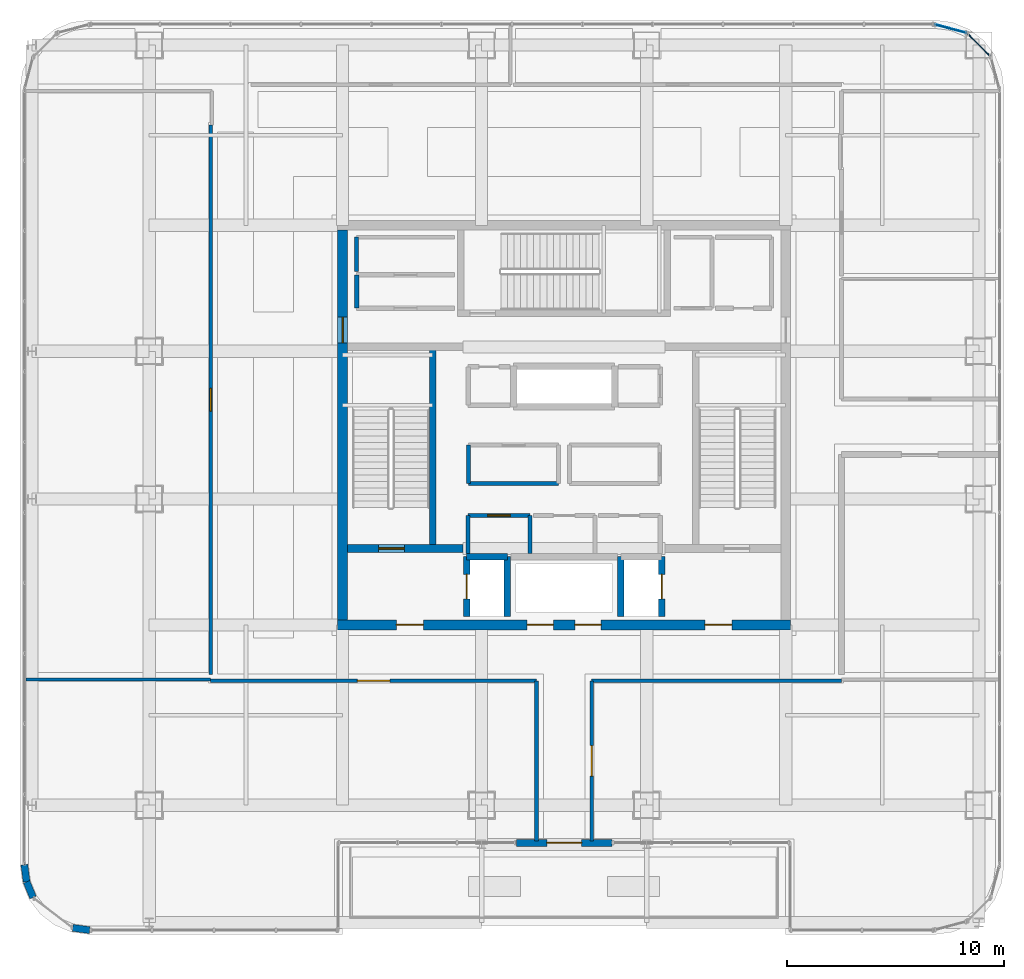
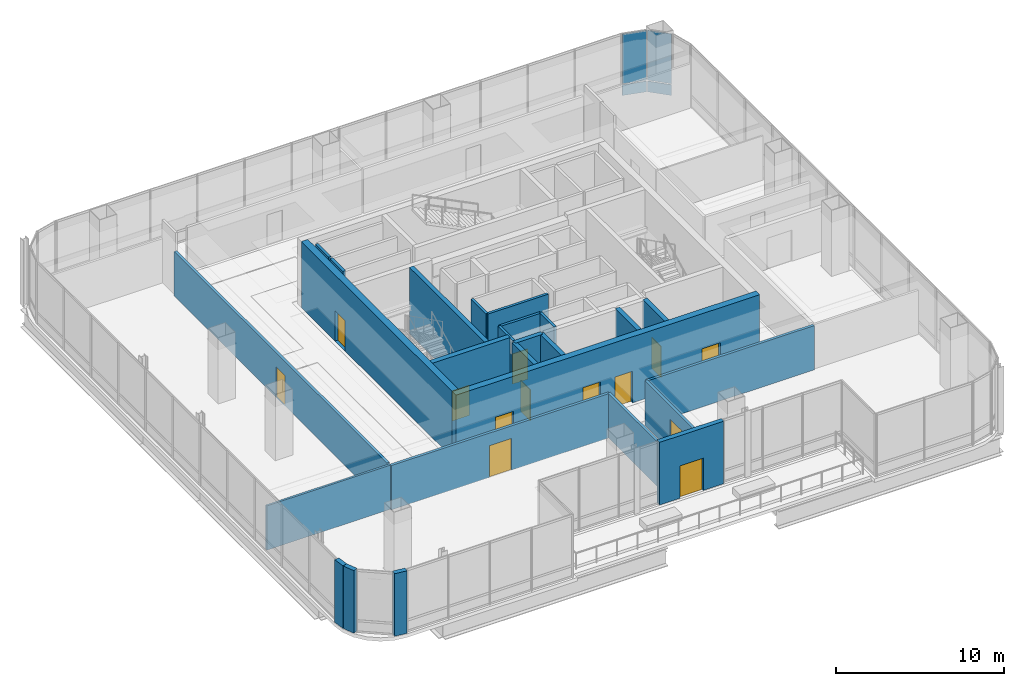
# One storey, part 36 of 44: 26 walls, 13 doors, 4 plates, 13 openings, 2 elements without a shape of their own.
"""IFC4 building model written with IfcOpenShell, lengths in metres."""

from ifc_helpers import new_model, si_unit, direction, frame, frame_2d, origin, origin_2d, place, context, subcontext, project, spatial, rectangle, extrude, material, layer, layer_set, type_object, element, fill, aggregate, save


model = new_model("IFC4")

# Units and contexts
model_context = context("Model", 3, precision=1e-05, world=origin(), true_north=direction((0.0, 1.0)))
body_context = subcontext(model_context, "Body", "Model", "MODEL_VIEW")
ifc_project = project(units=[si_unit("LENGTHUNIT", "METRE"), si_unit("AREAUNIT", "SQUARE_METRE"), si_unit("VOLUMEUNIT", "CUBIC_METRE"), si_unit("PLANEANGLEUNIT", "RADIAN"), si_unit("MASSUNIT", "GRAM", prefix="KILO")], contexts=[model_context])

# Site, building, storey
site_placement = place(None, origin())
site = spatial("IfcSite", under=ifc_project, at=site_placement, CompositionType="ELEMENT")
building_placement = place(site_placement, origin())
building = spatial("IfcBuilding", under=site, at=building_placement, Name="Punatoya Terracotta Tower", CompositionType="ELEMENT")
storey_placement = place(building_placement, frame((0.0, 0.0, 334.199951171875)))
storey = spatial("IfcBuildingStorey", under=building, at=storey_placement, Name="L79", CompositionType="ELEMENT", Elevation=334.199951171875)

# Curtain wall, plate
ifc_material_1 = material(Name="Aluminium 6063-T6 + Double Low-E Glass", Category="aluminium")
curtain_wall_type = type_object("IfcCurtainWallType", Name="CW-OBS", PredefinedType="NOTDEFINED", material=ifc_material_1)
curtain_wall_1_placement = place(storey_placement, origin())
curtain_wall_1 = element("IfcCurtainWall", 1, at=curtain_wall_1_placement, inside=storey, type_object=curtain_wall_type, Name="L79 Curtain Wall CW-L79-CRN12", PredefinedType="NOTDEFINED")
ifc_material_2 = material(Name="Laminated Observation Low-Iron Glass", Category="glass")
ifc_layer_1 = layer(ifc_material_2, 0.0380859375)
ifc_layer_set_1 = layer_set([ifc_layer_1], Name="Laminated Observation Low-Iron Glass")
plate_type_1 = type_object("IfcPlateType", Name="PLT-GLZ-38", PredefinedType="CURTAIN_PANEL", material=ifc_layer_set_1)
plate_1_placement = place(storey_placement, frame((19.097900390625, 17.497802734375, 0.89013671875), z_axis=(0.0, 0.0, 1.0), x_axis=(-0.707106781187, 0.707106781187, 0.0)))
plate_1 = element("IfcPlate", 2, at=plate_1_placement, type_object=plate_type_1, Name="CW-L79-CRN12 Vision Glass Panel 1", PredefinedType="CURTAIN_PANEL", context=body_context, shape_type="SweptSolid", body=[
    extrude(rectangle(XDim=1.467041015625, YDim=0.0380859375, at=origin_2d()), origin(), (0.0, 0.0, 1.0), 3.610107421875),
])

curtain_wall_2_placement = place(storey_placement, origin())
curtain_wall_2 = element("IfcCurtainWall", 3, at=curtain_wall_2_placement, inside=storey, type_object=curtain_wall_type, Name="L79 Curtain Wall CW-L79-CRN13", PredefinedType="NOTDEFINED")
plate_2_placement = place(storey_placement, frame((17.79296875, 18.248291015625, 0.89013671875), z_axis=(0.0, 0.0, 1.0), x_axis=(-0.966213877436, 0.257741620719, 0.0)))
plate_2 = element("IfcPlate", 4, at=plate_2_placement, type_object=plate_type_1, Name="CW-L79-CRN13 Vision Glass Panel 1", PredefinedType="CURTAIN_PANEL", context=body_context, shape_type="SweptSolid", body=[
    extrude(rectangle(XDim=1.47998046875, YDim=0.0380859375, at=origin_2d()), origin(), (0.0, 0.0, 1.0), 3.610107421875),
])

# Plate
ifc_material_3 = material(Name="Insulated Terracotta-Backed Spandrel Panel", Category="masonry")
ifc_layer_2 = layer(ifc_material_3, 0.044921875)
ifc_layer_set_2 = layer_set([ifc_layer_2], Name="Insulated Terracotta-Backed Spandrel Panel")
plate_type_2 = type_object("IfcPlateType", Name="PLT-SPN-45", PredefinedType="CURTAIN_PANEL", material=ifc_layer_set_2)
plate_3_placement = place(storey_placement, frame((19.097900390625, 17.497802734375, 0.0400390625), z_axis=(0.0, 0.0, 1.0), x_axis=(-0.707106781187, 0.707106781187, 0.0)))
plate_3 = element("IfcPlate", 5, at=plate_3_placement, type_object=plate_type_2, Name="CW-L79-CRN12 Terracotta Spandrel Panel 1", PredefinedType="CURTAIN_PANEL", context=body_context, shape_type="SweptSolid", body=[
    extrude(rectangle(XDim=1.467041015625, YDim=0.044921875, at=origin_2d()), origin(), (0.0, 0.0, 1.0), 0.77490234375),
])

aggregate(curtain_wall_1, [plate_3, plate_1])

plate_4_placement = place(storey_placement, frame((17.79296875, 18.248291015625, 0.0400390625), z_axis=(0.0, 0.0, 1.0), x_axis=(-0.966213877436, 0.257741620719, 0.0)))
plate_4 = element("IfcPlate", 6, at=plate_4_placement, type_object=plate_type_2, Name="CW-L79-CRN13 Terracotta Spandrel Panel 1", PredefinedType="CURTAIN_PANEL", context=body_context, shape_type="SweptSolid", body=[
    extrude(rectangle(XDim=1.47998046875, YDim=0.044921875, at=origin_2d()), origin(), (0.0, 0.0, 1.0), 0.77490234375),
])

aggregate(curtain_wall_2, [plate_4, plate_2])

# Wall, openings, doors
ifc_material_4 = material(Name="Concrete C50/60", Category="concrete")
ifc_layer_3 = layer(ifc_material_4, 0.449951171875)
ifc_layer_set_3 = layer_set([ifc_layer_3], Name="Concrete C50/60")
wall_type_1 = type_object("IfcWallType", Name="WL-COR-450", PredefinedType="SHEAR", material=ifc_layer_set_3)
wall_1_placement = place(storey_placement, frame((10.425048828125, -9.199951171875, 0.0), z_axis=(0.0, 0.0, 1.0), x_axis=(-1.0, 0.0, 0.0)))
wall_1 = element("IfcWall", 7, at=wall_1_placement, inside=storey, type_object=wall_type_1, Name="L79 Core Shear Wall S", PredefinedType="SHEAR", context=body_context, shape_type="SweptSolid", body=[
    extrude(rectangle(XDim=20.85009765625, YDim=0.449951171875, at=frame_2d((10.425048828125, 0.0))), origin(), (0.0, 0.0, 1.0), 4.800048828125),
])
opening_1_placement = place(wall_1_placement, frame((2.699951171875, 0.0, 0.0)))
opening_1 = element("IfcOpeningElement", 8, at=opening_1_placement, cuts=wall_1, Name="Opening FD-L1", PredefinedType="OPENING", context=body_context, shape_type="SweptSolid", body=[
    extrude(rectangle(XDim=1.25, YDim=2.25, at=frame_2d((0.625, 1.125))), frame((0.0, 0.23486328125, 0.0), z_axis=(0.0, -1.0, 0.0), x_axis=(1.0, 0.0, 0.0)), (0.0, 0.0, 1.0), 0.469970703125),
])
opening_2_placement = place(wall_1_placement, frame((16.89990234375, 0.0, 0.0)))
opening_2 = element("IfcOpeningElement", 9, at=opening_2_placement, cuts=wall_1, Name="Opening FD-L1", PredefinedType="OPENING", context=body_context, shape_type="SweptSolid", body=[
    extrude(rectangle(XDim=1.25, YDim=2.25, at=frame_2d((0.625, 1.125))), frame((0.0, 0.23486328125, 0.0), z_axis=(0.0, -1.0, 0.0), x_axis=(1.0, 0.0, 0.0)), (0.0, 0.0, 1.0), 0.469970703125),
])
opening_3_placement = place(wall_1_placement, frame((10.925048828125, 0.0, 0.0)))
opening_3 = element("IfcOpeningElement", 10, at=opening_3_placement, cuts=wall_1, Name="Opening LD-01", PredefinedType="OPENING", context=body_context, shape_type="SweptSolid", body=[
    extrude(rectangle(XDim=1.199951171875, YDim=2.300048828125, at=frame_2d((0.60009765625, 1.14990234375))), frame((0.0, 0.23486328125, 0.0), z_axis=(0.0, -1.0, 0.0), x_axis=(1.0, 0.0, 0.0)), (0.0, 0.0, 1.0), 0.469970703125),
])
opening_4_placement = place(wall_1_placement, frame((8.72509765625, 0.0, 0.0)))
opening_4 = element("IfcOpeningElement", 11, at=opening_4_placement, cuts=wall_1, Name="Opening LD-01", PredefinedType="OPENING", context=body_context, shape_type="SweptSolid", body=[
    extrude(rectangle(XDim=1.199951171875, YDim=2.300048828125, at=frame_2d((0.60009765625, 1.14990234375))), frame((0.0, 0.23486328125, 0.0), z_axis=(0.0, -1.0, 0.0), x_axis=(1.0, 0.0, 0.0)), (0.0, 0.0, 1.0), 0.469970703125),
])
ifc_material_5 = material(Name="Galvanised Steel Smokeproof Fire Door", Category="steel")
door_type_1 = type_object("IfcDoorType", Name="DR-FFL-1250", OperationType="NOTDEFINED", PredefinedType="DOOR", material=ifc_material_5)
door_1_placement = place(opening_1_placement, origin())
door_1 = element("IfcDoor", 12, at=door_1_placement, inside=storey, type_object=door_type_1, Name="L79 East Firefighting Lobby Corridor Fire Door", OperationType="SINGLE_SWING_LEFT", OverallHeight=2.25, OverallWidth=1.25, PredefinedType="DOOR", context=body_context, shape_type="SweptSolid", body=[
    extrude(rectangle(XDim=1.25, YDim=2.25, at=frame_2d((0.625, 1.125))), frame((0.0, 0.02490234375, 0.0), z_axis=(0.0, -1.0, 0.0), x_axis=(1.0, 0.0, 0.0)), (0.0, 0.0, 1.0), 0.050048828125),
])
fill(opening_1, door_1)
door_2_placement = place(opening_2_placement, origin())
door_2 = element("IfcDoor", 13, at=door_2_placement, inside=storey, type_object=door_type_1, Name="L79 West Firefighting Lobby Corridor Fire Door", OperationType="SINGLE_SWING_RIGHT", OverallHeight=2.25, OverallWidth=1.25, PredefinedType="DOOR", context=body_context, shape_type="SweptSolid", body=[
    extrude(rectangle(XDim=1.25, YDim=2.25, at=frame_2d((0.625, 1.125))), frame((0.0, 0.02490234375, 0.0), z_axis=(0.0, -1.0, 0.0), x_axis=(1.0, 0.0, 0.0)), (0.0, 0.0, 1.0), 0.050048828125),
])
fill(opening_2, door_2)
ifc_material_6 = material(Name="Stainless Steel Lift Landing Door", Category="steel")
door_type_2 = type_object("IfcDoorType", Name="DR-LND-1200", OperationType="NOTDEFINED", PredefinedType="DOOR", material=ifc_material_6)
door_3_placement = place(opening_3_placement, origin())
door_3 = element("IfcDoor", 14, at=door_3_placement, inside=storey, type_object=door_type_2, Name="L79 Observation Express OB-1 Sliding Landing Door", OperationType="DOUBLE_DOOR_SLIDING", OverallHeight=2.300048828125, OverallWidth=1.199951171875, PredefinedType="DOOR", context=body_context, shape_type="SweptSolid", body=[
    extrude(rectangle(XDim=1.199951171875, YDim=2.300048828125, at=frame_2d((0.60009765625, 1.14990234375))), frame((0.0, 0.02490234375, 0.0), z_axis=(0.0, -1.0, 0.0), x_axis=(1.0, 0.0, 0.0)), (0.0, 0.0, 1.0), 0.050048828125),
])
fill(opening_3, door_3)
door_4_placement = place(opening_4_placement, origin())
door_4 = element("IfcDoor", 15, at=door_4_placement, inside=storey, type_object=door_type_2, Name="L79 Observation Express OB-2 Sliding Landing Door", OperationType="DOUBLE_DOOR_SLIDING", OverallHeight=2.300048828125, OverallWidth=1.199951171875, PredefinedType="DOOR", context=body_context, shape_type="SweptSolid", body=[
    extrude(rectangle(XDim=1.199951171875, YDim=2.300048828125, at=frame_2d((0.60009765625, 1.14990234375))), frame((0.0, 0.02490234375, 0.0), z_axis=(0.0, -1.0, 0.0), x_axis=(1.0, 0.0, 0.0)), (0.0, 0.0, 1.0), 0.050048828125),
])
fill(opening_4, door_4)

# Wall, opening, door
wall_2_placement = place(storey_placement, frame((-10.199951171875, -8.97509765625, 0.0), z_axis=(0.0, 0.0, 1.0), x_axis=(0.0, 1.0, 0.0)))
wall_2 = element("IfcWall", 16, at=wall_2_placement, inside=storey, type_object=wall_type_1, Name="L79 Core Shear Wall W", PredefinedType="SHEAR", context=body_context, shape_type="SweptSolid", body=[
    extrude(rectangle(XDim=17.9501953125, YDim=0.449951171875, at=frame_2d((8.97509765625, 0.0))), origin(), (0.0, 0.0, 1.0), 4.800048828125),
])
opening_5_placement = place(wall_2_placement, frame((12.764892578125, 0.0, 0.0)))
opening_5 = element("IfcOpeningElement", 17, at=opening_5_placement, cuts=wall_2, Name="Opening SD-01", PredefinedType="OPENING", context=body_context, shape_type="SweptSolid", body=[
    extrude(rectangle(XDim=1.179931640625, YDim=2.199951171875, at=frame_2d((0.58984375, 1.10009765625))), frame((0.0, 0.23486328125, 0.0), z_axis=(0.0, -1.0, 0.0), x_axis=(1.0, 0.0, 0.0)), (0.0, 0.0, 1.0), 0.469970703125),
])
ifc_material_7 = material(Name="Galvanised Steel Pressurized Stair Fire Door", Category="steel")
door_type_3 = type_object("IfcDoorType", Name="DR-STR-1180", OperationType="NOTDEFINED", PredefinedType="DOOR", material=ifc_material_7)
door_5_placement = place(opening_5_placement, origin())
door_5 = element("IfcDoor", 18, at=door_5_placement, inside=storey, type_object=door_type_3, Name="L79 Central Lift Lobby West Fire Door", OperationType="SINGLE_SWING_LEFT", OverallHeight=2.199951171875, OverallWidth=1.179931640625, PredefinedType="DOOR", context=body_context, shape_type="SweptSolid", body=[
    extrude(rectangle(XDim=1.179931640625, YDim=2.199951171875, at=frame_2d((0.58984375, 1.10009765625))), frame((0.0, 0.02490234375, 0.0), z_axis=(0.0, -1.0, 0.0), x_axis=(1.0, 0.0, 0.0)), (0.0, 0.0, 1.0), 0.050048828125),
])
fill(opening_5, door_5)

# Wall
ifc_material_8 = material(Name="Gypsum Fireboard + Steel Stud", Category="steel")
ifc_layer_4 = layer(ifc_material_8, 0.179931640625)
ifc_layer_set_4 = layer_set([ifc_layer_4], Name="Gypsum Fireboard + Steel Stud")
wall_type_2 = type_object("IfcWallType", Name="WL-CORR-180", PredefinedType="PARTITIONING", material=ifc_layer_set_4)
wall_3_placement = place(storey_placement, frame((-1.580078125, -5.89990234375, 0.0), z_axis=(0.0, 0.0, 1.0), x_axis=(0.0, 1.0, 0.0)))
element("IfcWall", 19, at=wall_3_placement, inside=storey, type_object=wall_type_2, Name="L79 Core Quiet Wellness Room Partition 01", PredefinedType="PARTITIONING", context=body_context, shape_type="SweptSolid", body=[
    extrude(rectangle(XDim=1.739990234375, YDim=0.179931640625, at=frame_2d((0.8701171875, 0.0))), origin(), (0.0, 0.0, 1.0), 4.5400390625),
])

# Wall, opening, door
wall_4_placement = place(storey_placement, frame((-1.580078125, -4.159912109375, 0.0), z_axis=(0.0, 0.0, 1.0), x_axis=(-1.0, 0.0, 0.0)))
wall_4 = element("IfcWall", 20, at=wall_4_placement, inside=storey, type_object=wall_type_2, Name="L79 Core Quiet Wellness Room Partition 02", PredefinedType="PARTITIONING", context=body_context, shape_type="SweptSolid", body=[
    extrude(rectangle(XDim=2.83984375, YDim=0.179931640625, at=frame_2d((1.419921875, 0.0))), origin(), (0.0, 0.0, 1.0), 4.5400390625),
])
opening_6_placement = place(wall_4_placement, frame((0.89501953125, 0.0, 0.0)))
opening_6 = element("IfcOpeningElement", 21, at=opening_6_placement, cuts=wall_4, Name="Opening OD-01", PredefinedType="OPENING", context=body_context, shape_type="SweptSolid", body=[
    extrude(rectangle(XDim=1.050048828125, YDim=2.199951171875, at=frame_2d((0.52490234375, 1.10009765625))), frame((0.0, 0.099853515625, 0.0), z_axis=(0.0, -1.0, 0.0), x_axis=(1.0, 0.0, 0.0)), (0.0, 0.0, 1.0), 0.199951171875),
])
ifc_material_9 = material(Name="Bengal Teak Solid-Core Leaf")
door_type_4 = type_object("IfcDoorType", Name="DR-OFF-1050", OperationType="NOTDEFINED", PredefinedType="DOOR", material=ifc_material_9)
door_6_placement = place(opening_6_placement, origin())
door_6 = element("IfcDoor", 22, at=door_6_placement, inside=storey, type_object=door_type_4, Name="L79 Quiet Wellness Room Door", OperationType="SINGLE_SWING_LEFT", OverallHeight=2.199951171875, OverallWidth=1.050048828125, PredefinedType="DOOR", context=body_context, shape_type="SweptSolid", body=[
    extrude(rectangle(XDim=1.050048828125, YDim=2.199951171875, at=frame_2d((0.52490234375, 1.10009765625))), frame((0.0, 0.02490234375, 0.0), z_axis=(0.0, -1.0, 0.0), x_axis=(1.0, 0.0, 0.0)), (0.0, 0.0, 1.0), 0.050048828125),
])
fill(opening_6, door_6)

# Walls
wall_5_placement = place(storey_placement, frame((-4.419921875, -4.159912109375, 0.0), z_axis=(0.0, 0.0, 1.0), x_axis=(0.0, -1.0, 0.0)))
element("IfcWall", 23, at=wall_5_placement, inside=storey, type_object=wall_type_2, Name="L79 Core Quiet Wellness Room Partition 03", PredefinedType="PARTITIONING", context=body_context, shape_type="SweptSolid", body=[
    extrude(rectangle(XDim=1.739990234375, YDim=0.179931640625, at=frame_2d((0.8701171875, 0.0))), origin(), (0.0, 0.0, 1.0), 4.5400390625),
])
wall_6_placement = place(storey_placement, frame((-4.39990234375, -0.919921875, 0.0), z_axis=(0.0, 0.0, 1.0), x_axis=(0.0, -1.0, 0.0)))
element("IfcWall", 24, at=wall_6_placement, inside=storey, type_object=wall_type_2, Name="L79 West Core Focus Pod Partition 10", PredefinedType="PARTITIONING", context=body_context, shape_type="SweptSolid", body=[
    extrude(rectangle(XDim=1.760009765625, YDim=0.179931640625, at=frame_2d((0.8798828125, 0.0))), origin(), (0.0, 0.0, 1.0), 4.5400390625),
])
wall_7_placement = place(storey_placement, frame((-4.39990234375, -2.679931640625, 0.0), z_axis=(0.0, 0.0, 1.0), x_axis=(1.0, 0.0, 0.0)))
element("IfcWall", 25, at=wall_7_placement, inside=storey, type_object=wall_type_2, Name="L79 West Core Focus Pod Partition 11", PredefinedType="PARTITIONING", context=body_context, shape_type="SweptSolid", body=[
    extrude(rectangle(XDim=4.14990234375, YDim=0.179931640625, at=frame_2d((2.074951171875, 0.0))), origin(), (0.0, 0.0, 1.0), 4.5400390625),
])
wall_8_placement = place(storey_placement, frame((-9.550048828125, 8.64990234375, 0.0), z_axis=(0.0, 0.0, 1.0), x_axis=(0.0, -1.0, 0.0)))
element("IfcWall", 26, at=wall_8_placement, inside=storey, type_object=wall_type_2, Name="L79 West Core Copy Room Partition 26", PredefinedType="PARTITIONING", context=body_context, shape_type="SweptSolid", body=[
    extrude(rectangle(XDim=1.56982421875, YDim=0.179931640625, at=frame_2d((0.784912109375, 0.0))), origin(), (0.0, 0.0, 1.0), 4.5400390625),
])

# Wall, opening, door
wall_9_placement = place(storey_placement, frame((-16.27001953125, -11.77001953125, 0.0), z_axis=(0.0, 0.0, 1.0), x_axis=(1.0, 0.0, 0.0)))
wall_9 = element("IfcWall", 27, at=wall_9_placement, inside=storey, type_object=wall_type_2, Name="L79 Waterfront Observation Gallery Partition 33", PredefinedType="PARTITIONING", context=body_context, shape_type="SweptSolid", body=[
    extrude(rectangle(XDim=15.0, YDim=0.179931640625, at=frame_2d((7.5, 0.0))), origin(), (0.0, 0.0, 1.0), 3.214111328125),
])
opening_7_placement = place(wall_9_placement, frame((6.75, 0.0, 0.0)))
opening_7 = element("IfcOpeningElement", 28, at=opening_7_placement, cuts=wall_9, Name="Opening ED-01", PredefinedType="OPENING", context=body_context, shape_type="SweptSolid", body=[
    extrude(rectangle(XDim=1.5, YDim=2.300048828125, at=frame_2d((0.75, 1.14990234375))), frame((0.0, 0.099853515625, 0.0), z_axis=(0.0, -1.0, 0.0), x_axis=(1.0, 0.0, 0.0)), (0.0, 0.0, 1.0), 0.199951171875),
])
ifc_material_10 = material(Name="Bengal Teak Fire-Resisting Double Leaf")
door_type_5 = type_object("IfcDoorType", Name="DR-EXEC-1500", OperationType="NOTDEFINED", PredefinedType="DOOR", material=ifc_material_10)
door_7_placement = place(opening_7_placement, origin())
door_7 = element("IfcDoor", 29, at=door_7_placement, inside=storey, type_object=door_type_5, Name="L79 Waterfront Observation Gallery Fire Door", OperationType="DOUBLE_DOOR_SINGLE_SWING", OverallHeight=2.300048828125, OverallWidth=1.5, PredefinedType="DOOR", context=body_context, shape_type="SweptSolid", body=[
    extrude(rectangle(XDim=1.5, YDim=2.300048828125, at=frame_2d((0.75, 1.14990234375))), frame((0.0, 0.02490234375, 0.0), z_axis=(0.0, -1.0, 0.0), x_axis=(1.0, 0.0, 0.0)), (0.0, 0.0, 1.0), 0.050048828125),
])
fill(opening_7, door_7)

# Wall
wall_10_placement = place(storey_placement, frame((-1.27001953125, -11.77001953125, 0.0), z_axis=(0.0, 0.0, 1.0), x_axis=(0.0, -1.0, 0.0)))
element("IfcWall", 30, at=wall_10_placement, inside=storey, type_object=wall_type_2, Name="L79 Waterfront Observation Gallery Partition 34", PredefinedType="PARTITIONING", context=body_context, shape_type="SweptSolid", body=[
    extrude(rectangle(XDim=7.3798828125, YDim=0.179931640625, at=frame_2d((3.68994140625, 0.0))), origin(), (0.0, 0.0, 1.0), 3.214111328125),
])

# Wall, opening, door
wall_11_placement = place(storey_placement, frame((1.27001953125, -19.14990234375, 0.0), z_axis=(0.0, 0.0, 1.0), x_axis=(0.0, 1.0, 0.0)))
wall_11 = element("IfcWall", 31, at=wall_11_placement, inside=storey, type_object=wall_type_2, Name="L79 Heritage Collections Curatorial Study Partition 36", PredefinedType="PARTITIONING", context=body_context, shape_type="SweptSolid", body=[
    extrude(rectangle(XDim=7.3798828125, YDim=0.179931640625, at=frame_2d((3.68994140625, 0.0))), origin(), (0.0, 0.0, 1.0), 3.214111328125),
])
opening_8_placement = place(wall_11_placement, frame((2.989990234375, 0.0, 0.0)))
opening_8 = element("IfcOpeningElement", 32, at=opening_8_placement, cuts=wall_11, Name="Opening BD-01", PredefinedType="OPENING", context=body_context, shape_type="SweptSolid", body=[
    extrude(rectangle(XDim=1.39990234375, YDim=2.25, at=frame_2d((0.699951171875, 1.125))), frame((0.0, 0.099853515625, 0.0), z_axis=(0.0, -1.0, 0.0), x_axis=(1.0, 0.0, 0.0)), (0.0, 0.0, 1.0), 0.199951171875),
])
ifc_material_11 = material(Name="Bengal Teak Acoustic Leaf")
door_type_6 = type_object("IfcDoorType", Name="DR-BRD-1400", OperationType="NOTDEFINED", PredefinedType="DOOR", material=ifc_material_11)
door_8_placement = place(opening_8_placement, origin())
door_8 = element("IfcDoor", 33, at=door_8_placement, inside=storey, type_object=door_type_6, Name="L79 Heritage Collections Curatorial Study Door", OperationType="SINGLE_SWING_LEFT", OverallHeight=2.25, OverallWidth=1.39990234375, PredefinedType="DOOR", context=body_context, shape_type="SweptSolid", body=[
    extrude(rectangle(XDim=1.39990234375, YDim=2.25, at=frame_2d((0.699951171875, 1.125))), frame((0.0, 0.02490234375, 0.0), z_axis=(0.0, -1.0, 0.0), x_axis=(1.0, 0.0, 0.0)), (0.0, 0.0, 1.0), 0.050048828125),
])
fill(opening_8, door_8)

# Wall
wall_12_placement = place(storey_placement, frame((1.27001953125, -11.77001953125, 0.0), z_axis=(0.0, 0.0, 1.0), x_axis=(1.0, 0.0, 0.0)))
element("IfcWall", 34, at=wall_12_placement, inside=storey, type_object=wall_type_2, Name="L79 Heritage Collections Curatorial Study Partition 37", PredefinedType="PARTITIONING", context=body_context, shape_type="SweptSolid", body=[
    extrude(rectangle(XDim=11.5, YDim=0.179931640625, at=frame_2d((5.75, 0.0))), origin(), (0.0, 0.0, 1.0), 3.214111328125),
])

# Wall, opening, door
wall_13_placement = place(storey_placement, frame((-16.27001953125, 13.820068359375, 0.0), z_axis=(0.0, 0.0, 1.0), x_axis=(0.0, -1.0, 0.0)))
wall_13 = element("IfcWall", 35, at=wall_13_placement, inside=storey, type_object=wall_type_2, Name="L79 Panoramic Photography Studio Partition 43", PredefinedType="PARTITIONING", context=body_context, shape_type="SweptSolid", body=[
    extrude(rectangle(XDim=25.31005859375, YDim=0.179931640625, at=frame_2d((12.655029296875, 0.0))), origin(), (0.0, 0.0, 1.0), 3.214111328125),
])
opening_9_placement = place(wall_13_placement, frame((12.1298828125, 0.0, 0.0)))
opening_9 = element("IfcOpeningElement", 36, at=opening_9_placement, cuts=wall_13, Name="Opening OD-01", PredefinedType="OPENING", context=body_context, shape_type="SweptSolid", body=[
    extrude(rectangle(XDim=1.050048828125, YDim=2.199951171875, at=frame_2d((0.52490234375, 1.10009765625))), frame((0.0, 0.099853515625, 0.0), z_axis=(0.0, -1.0, 0.0), x_axis=(1.0, 0.0, 0.0)), (0.0, 0.0, 1.0), 0.199951171875),
])
door_9_placement = place(opening_9_placement, origin())
door_9 = element("IfcDoor", 37, at=door_9_placement, inside=storey, type_object=door_type_4, Name="L79 Panoramic Photography Studio Door", OperationType="SINGLE_SWING_LEFT", OverallHeight=2.199951171875, OverallWidth=1.050048828125, PredefinedType="DOOR", context=body_context, shape_type="SweptSolid", body=[
    extrude(rectangle(XDim=1.050048828125, YDim=2.199951171875, at=frame_2d((0.52490234375, 1.10009765625))), frame((0.0, 0.02490234375, 0.0), z_axis=(0.0, -1.0, 0.0), x_axis=(1.0, 0.0, 0.0)), (0.0, 0.0, 1.0), 0.050048828125),
])
fill(opening_9, door_9)

# Wall
ifc_material_12 = material(Name="Precast concrete C40/50", Category="concrete")
ifc_layer_5 = layer(ifc_material_12, 0.320068359375)
ifc_layer_set_5 = layer_set([ifc_layer_5], Name="Precast concrete C40/50")
wall_type_3 = type_object("IfcWallType", Name="WL-EXT-320", PredefinedType="SOLIDWALL", material=ifc_layer_set_5)
wall_14_placement = place(storey_placement, frame((-22.6259765625, -23.14599609375, 0.0), z_axis=(0.0, 0.0, 1.0), x_axis=(0.991425036208, -0.130676691035, 0.0)))
element("IfcWall", 38, at=wall_14_placement, inside=storey, type_object=wall_type_3, Name="L79 Rounded Terracotta Corner Pier 01", PredefinedType="SOLIDWALL", context=body_context, shape_type="SweptSolid", body=[
    extrude(rectangle(XDim=0.7958984375, YDim=0.320068359375, at=frame_2d((0.39794921875, 0.0))), origin(), (0.0, 0.0, 1.0), 4.5400390625),
])

# Wall, opening, door
wall_15_placement = place(storey_placement, frame((-2.199951171875, -19.22998046875, 0.0), z_axis=(0.0, 0.0, 1.0), x_axis=(1.0, 0.0, 0.0)))
wall_15 = element("IfcWall", 39, at=wall_15_placement, inside=storey, type_object=wall_type_3, Name="L79 Sky-Terrace Portal Wall S", PredefinedType="SOLIDWALL", context=body_context, shape_type="SweptSolid", body=[
    extrude(rectangle(XDim=4.39990234375, YDim=0.320068359375, at=frame_2d((2.199951171875, 0.0))), origin(), (0.0, 0.0, 1.0), 4.5400390625),
])
opening_10_placement = place(wall_15_placement, frame((1.39990234375, 0.0, 0.0)))
opening_10 = element("IfcOpeningElement", 40, at=opening_10_placement, cuts=wall_15, Name="Opening TD-01", PredefinedType="OPENING", context=body_context, shape_type="SweptSolid", body=[
    extrude(rectangle(XDim=1.60009765625, YDim=2.35009765625, at=frame_2d((0.800048828125, 1.175048828125))), frame((0.0, 0.169921875, 0.0), z_axis=(0.0, -1.0, 0.0), x_axis=(1.0, 0.0, 0.0)), (0.0, 0.0, 1.0), 0.340087890625),
])
ifc_material_13 = material(Name="Aluminium 6063-T6 + Low-E Glass", Category="aluminium")
door_type_7 = type_object("IfcDoorType", Name="DR-TER-1600", OperationType="NOTDEFINED", PredefinedType="DOOR", material=ifc_material_13)
door_10_placement = place(opening_10_placement, origin())
door_10 = element("IfcDoor", 41, at=door_10_placement, inside=storey, type_object=door_type_7, Name="L79 Sky-Terrace Access Door S1", OperationType="SINGLE_SWING_RIGHT", OverallHeight=2.35009765625, OverallWidth=1.60009765625, PredefinedType="DOOR", context=body_context, shape_type="SweptSolid", body=[
    extrude(rectangle(XDim=1.60009765625, YDim=2.35009765625, at=frame_2d((0.800048828125, 1.175048828125))), frame((0.0, 0.02490234375, 0.0), z_axis=(0.0, -1.0, 0.0), x_axis=(1.0, 0.0, 0.0)), (0.0, 0.0, 1.0), 0.050048828125),
])
fill(opening_10, door_10)

# Walls
wall_16_placement = place(storey_placement, frame((-24.85009765625, -20.23681640625, 0.0), z_axis=(0.0, 0.0, 1.0), x_axis=(0.130676691035, -0.991425036208, 0.0)))
element("IfcWall", 42, at=wall_16_placement, inside=storey, type_object=wall_type_3, Name="L79 Rounded Terracotta Corner Pier 19", PredefinedType="SOLIDWALL", context=body_context, shape_type="SweptSolid", body=[
    extrude(rectangle(XDim=0.7958984375, YDim=0.320068359375, at=frame_2d((0.39794921875, 0.0))), origin(), (0.0, 0.0, 1.0), 4.5400390625),
])
wall_17_placement = place(storey_placement, frame((-24.74609375, -21.02587890625, 0.0), z_axis=(0.0, 0.0, 1.0), x_axis=(0.38270990292, -0.923868567604, 0.0)))
element("IfcWall", 43, at=wall_17_placement, inside=storey, type_object=wall_type_3, Name="L79 Rounded Terracotta Corner Pier 20", PredefinedType="SOLIDWALL", context=body_context, shape_type="SweptSolid", body=[
    extrude(rectangle(XDim=0.78271484375, YDim=0.320068359375, at=frame_2d((0.391357421875, 0.0))), origin(), (0.0, 0.0, 1.0), 4.5400390625),
])
ifc_material_14 = material(Name="Concrete C40/50", Category="concrete")
ifc_layer_6 = layer(ifc_material_14, 0.199951171875)
ifc_layer_set_6 = layer_set([ifc_layer_6], Name="Concrete C40/50")
wall_type_4 = type_object("IfcWallType", Name="WL-INT-200", PredefinedType="SOLIDWALL", material=ifc_layer_set_6)
wall_18_placement = place(storey_placement, frame((-9.550048828125, 6.919921875, 0.0), z_axis=(0.0, 0.0, 1.0), x_axis=(0.0, -1.0, 0.0)))
element("IfcWall", 44, at=wall_18_placement, inside=storey, type_object=wall_type_4, Name="L79 West Core Tea Pantry Partition 23", PredefinedType="SOLIDWALL", context=body_context, shape_type="SweptSolid", body=[
    extrude(rectangle(XDim=1.5400390625, YDim=0.199951171875, at=frame_2d((0.77001953125, 0.0))), origin(), (0.0, 0.0, 1.0), 4.5400390625),
])
ifc_material_15 = material(Name="Acoustic Gypsum + Steel Stud", Category="steel")
ifc_layer_7 = layer(ifc_material_15, 0.139892578125)
ifc_layer_set_7 = layer_set([ifc_layer_7], Name="Acoustic Gypsum + Steel Stud")
wall_type_5 = type_object("IfcWallType", Name="WL-OFF-140", PredefinedType="PARTITIONING", material=ifc_layer_set_7)
wall_19_placement = place(storey_placement, frame((-24.77001953125, -11.7099609375, 0.0), z_axis=(0.0, 0.0, 1.0), x_axis=(1.0, 0.0, 0.0)))
element("IfcWall", 45, at=wall_19_placement, inside=storey, type_object=wall_type_5, Name="L79 Waterfront Observation Gallery Partition 35", PredefinedType="PARTITIONING", context=body_context, shape_type="SweptSolid", body=[
    extrude(rectangle(XDim=8.5, YDim=0.139892578125, at=frame_2d((4.25, 0.0))), origin(), (0.0, 0.0, 1.0), 3.214111328125),
])
ifc_layer_8 = layer(ifc_material_14, 0.300048828125)
ifc_layer_set_8 = layer_set([ifc_layer_8], Name="Concrete C40/50")
wall_type_6 = type_object("IfcWallType", Name="WL-SHF-300", PredefinedType="SOLIDWALL", material=ifc_layer_set_8)
wall_20_placement = place(storey_placement, frame((-6.050048828125, -5.5, 0.0), z_axis=(0.0, 0.0, 1.0), x_axis=(0.0, 1.0, 0.0)))
element("IfcWall", 46, at=wall_20_placement, inside=storey, type_object=wall_type_6, Name="L79 Structural Stair Shaft Wall SW-ST1-E", PredefinedType="SOLIDWALL", context=body_context, shape_type="SweptSolid", body=[
    extrude(rectangle(XDim=8.949951171875, YDim=0.300048828125, at=frame_2d((4.47509765625, 0.0))), origin(), (0.0, 0.0, 1.0), 4.800048828125),
])

# Wall, opening, door
wall_21_placement = place(storey_placement, frame((-4.489990234375, -8.820068359375, 0.0), z_axis=(0.0, 0.0, 1.0), x_axis=(0.0, 1.0, 0.0)))
wall_21 = element("IfcWall", 47, at=wall_21_placement, inside=storey, type_object=wall_type_6, Name="L79 FFL-1 Front Hoistway Wall", PredefinedType="SOLIDWALL", context=body_context, shape_type="SweptSolid", body=[
    extrude(rectangle(XDim=2.77001953125, YDim=0.300048828125, at=frame_2d((1.385009765625, 0.0))), origin(), (0.0, 0.0, 1.0), 4.5400390625),
])
opening_11_placement = place(wall_21_placement, frame((0.824951171875, 0.0, 0.0)))
opening_11 = element("IfcOpeningElement", 48, at=opening_11_placement, cuts=wall_21, Name="Opening LD-02", PredefinedType="OPENING", context=body_context, shape_type="SweptSolid", body=[
    extrude(rectangle(XDim=1.1201171875, YDim=2.25, at=frame_2d((0.56005859375, 1.125))), frame((0.0, 0.159912109375, 0.0), z_axis=(0.0, -1.0, 0.0), x_axis=(1.0, 0.0, 0.0)), (0.0, 0.0, 1.0), 0.320068359375),
])
door_type_8 = type_object("IfcDoorType", Name="DR-LND-1120", OperationType="NOTDEFINED", PredefinedType="DOOR", material=ifc_material_6)
door_11_placement = place(opening_11_placement, origin())
door_11 = element("IfcDoor", 49, at=door_11_placement, inside=storey, type_object=door_type_8, Name="L79 Firefighting Lift FFL-1 Sliding Landing Door", OperationType="SLIDING_TO_LEFT", OverallHeight=2.25, OverallWidth=1.1201171875, PredefinedType="DOOR", context=body_context, shape_type="SweptSolid", body=[
    extrude(rectangle(XDim=1.1201171875, YDim=2.25, at=frame_2d((0.56005859375, 1.125))), frame((0.0, 0.02490234375, 0.0), z_axis=(0.0, -1.0, 0.0), x_axis=(1.0, 0.0, 0.0)), (0.0, 0.0, 1.0), 0.050048828125),
])
fill(opening_11, door_11)

# Walls
wall_22_placement = place(storey_placement, frame((-2.610107421875, -8.820068359375, 0.0), z_axis=(0.0, 0.0, 1.0), x_axis=(0.0, 1.0, 0.0)))
element("IfcWall", 50, at=wall_22_placement, inside=storey, type_object=wall_type_6, Name="L79 FFL-1 Rear Hoistway Wall", PredefinedType="SOLIDWALL", context=body_context, shape_type="SweptSolid", body=[
    extrude(rectangle(XDim=2.77001953125, YDim=0.300048828125, at=frame_2d((1.385009765625, 0.0))), origin(), (0.0, 0.0, 1.0), 4.5400390625),
])
wall_23_placement = place(storey_placement, frame((-4.489990234375, -6.050048828125, 0.0), z_axis=(0.0, 0.0, 1.0), x_axis=(1.0, 0.0, 0.0)))
element("IfcWall", 51, at=wall_23_placement, inside=storey, type_object=wall_type_6, Name="L79 FFL-1 North Hoistway Wall", PredefinedType="SOLIDWALL", context=body_context, shape_type="SweptSolid", body=[
    extrude(rectangle(XDim=1.8798828125, YDim=0.300048828125, at=frame_2d((0.93994140625, 0.0))), origin(), (0.0, 0.0, 1.0), 4.5400390625),
])

# Wall, opening, door
wall_24_placement = place(storey_placement, frame((4.489990234375, -8.820068359375, 0.0), z_axis=(0.0, 0.0, 1.0), x_axis=(0.0, 1.0, 0.0)))
wall_24 = element("IfcWall", 52, at=wall_24_placement, inside=storey, type_object=wall_type_6, Name="L79 FFL-2 Front Hoistway Wall", PredefinedType="SOLIDWALL", context=body_context, shape_type="SweptSolid", body=[
    extrude(rectangle(XDim=2.77001953125, YDim=0.300048828125, at=frame_2d((1.385009765625, 0.0))), origin(), (0.0, 0.0, 1.0), 4.5400390625),
])
opening_12_placement = place(wall_24_placement, frame((0.824951171875, 0.0, 0.0)))
opening_12 = element("IfcOpeningElement", 53, at=opening_12_placement, cuts=wall_24, Name="Opening LD-02", PredefinedType="OPENING", context=body_context, shape_type="SweptSolid", body=[
    extrude(rectangle(XDim=1.1201171875, YDim=2.25, at=frame_2d((0.56005859375, 1.125))), frame((0.0, 0.159912109375, 0.0), z_axis=(0.0, -1.0, 0.0), x_axis=(1.0, 0.0, 0.0)), (0.0, 0.0, 1.0), 0.320068359375),
])
door_12_placement = place(opening_12_placement, origin())
door_12 = element("IfcDoor", 54, at=door_12_placement, inside=storey, type_object=door_type_8, Name="L79 Firefighting Lift FFL-2 Sliding Landing Door", OperationType="SLIDING_TO_RIGHT", OverallHeight=2.25, OverallWidth=1.1201171875, PredefinedType="DOOR", context=body_context, shape_type="SweptSolid", body=[
    extrude(rectangle(XDim=1.1201171875, YDim=2.25, at=frame_2d((0.56005859375, 1.125))), frame((0.0, 0.02490234375, 0.0), z_axis=(0.0, -1.0, 0.0), x_axis=(1.0, 0.0, 0.0)), (0.0, 0.0, 1.0), 0.050048828125),
])
fill(opening_12, door_12)

# Wall
wall_25_placement = place(storey_placement, frame((2.610107421875, -8.820068359375, 0.0), z_axis=(0.0, 0.0, 1.0), x_axis=(0.0, 1.0, 0.0)))
element("IfcWall", 55, at=wall_25_placement, inside=storey, type_object=wall_type_6, Name="L79 FFL-2 Rear Hoistway Wall", PredefinedType="SOLIDWALL", context=body_context, shape_type="SweptSolid", body=[
    extrude(rectangle(XDim=2.77001953125, YDim=0.300048828125, at=frame_2d((1.385009765625, 0.0))), origin(), (0.0, 0.0, 1.0), 4.5400390625),
])

# Wall, opening, door
ifc_layer_9 = layer(ifc_material_4, 0.35009765625)
ifc_layer_set_9 = layer_set([ifc_layer_9], Name="Concrete C50/60")
wall_type_7 = type_object("IfcWallType", Name="WL-SHF-350", PredefinedType="SOLIDWALL", material=ifc_layer_set_9)
wall_26_placement = place(storey_placement, frame((-9.97509765625, -5.679931640625, 0.0), z_axis=(0.0, 0.0, 1.0), x_axis=(1.0, 0.0, 0.0)))
wall_26 = element("IfcWall", 56, at=wall_26_placement, inside=storey, type_object=wall_type_7, Name="L79 Core Web Wall CSW-L", PredefinedType="SOLIDWALL", context=body_context, shape_type="SweptSolid", body=[
    extrude(rectangle(XDim=5.3251953125, YDim=0.35009765625, at=frame_2d((2.66259765625, 0.0))), origin(), (0.0, 0.0, 1.0), 4.800048828125),
])
opening_13_placement = place(wall_26_placement, frame((1.43505859375, 0.0, 0.0)))
opening_13 = element("IfcOpeningElement", 57, at=opening_13_placement, cuts=wall_26, Name="Opening SD-01", PredefinedType="OPENING", context=body_context, shape_type="SweptSolid", body=[
    extrude(rectangle(XDim=1.179931640625, YDim=2.199951171875, at=frame_2d((0.58984375, 1.10009765625))), frame((0.0, 0.18505859375, 0.0), z_axis=(0.0, -1.0, 0.0), x_axis=(1.0, 0.0, 0.0)), (0.0, 0.0, 1.0), 0.3701171875),
])
door_13_placement = place(opening_13_placement, origin())
door_13 = element("IfcDoor", 58, at=door_13_placement, inside=storey, type_object=door_type_3, Name="L79 Stair ST-1 Smokeproof Lobby Fire Door", OperationType="SINGLE_SWING_LEFT", OverallHeight=2.199951171875, OverallWidth=1.179931640625, PredefinedType="DOOR", context=body_context, shape_type="SweptSolid", body=[
    extrude(rectangle(XDim=1.179931640625, YDim=2.199951171875, at=frame_2d((0.58984375, 1.10009765625))), frame((0.0, 0.02490234375, 0.0), z_axis=(0.0, -1.0, 0.0), x_axis=(1.0, 0.0, 0.0)), (0.0, 0.0, 1.0), 0.050048828125),
])
fill(opening_13, door_13)

save(model, "model.ifc")
